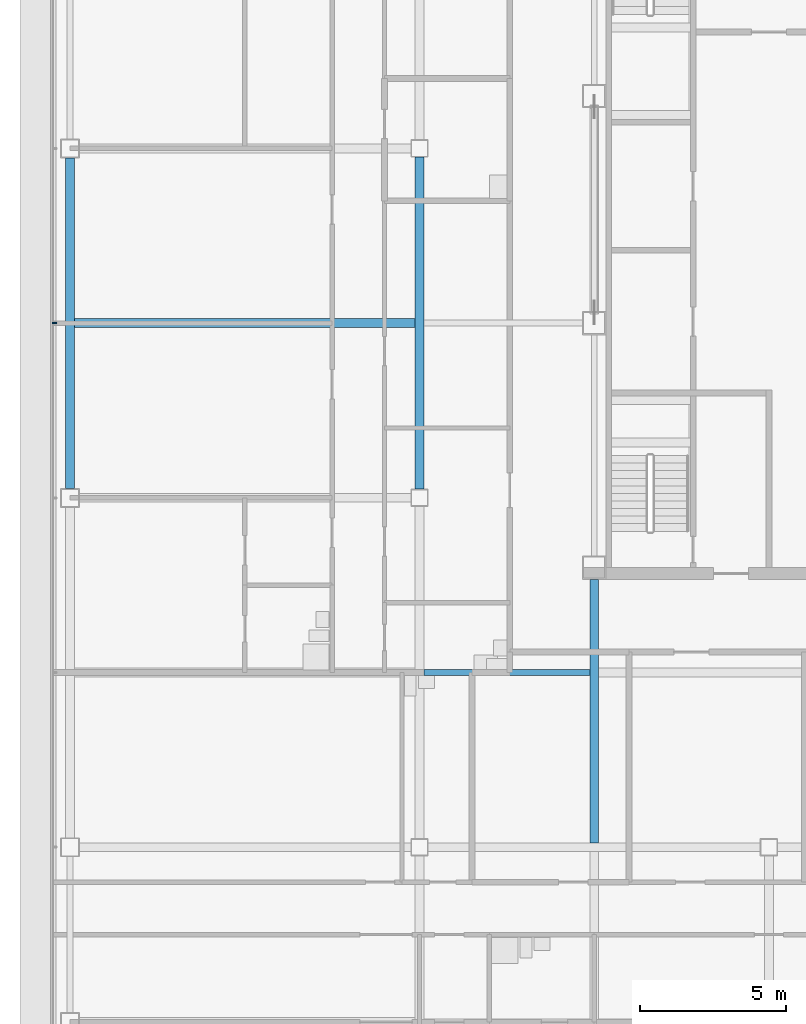
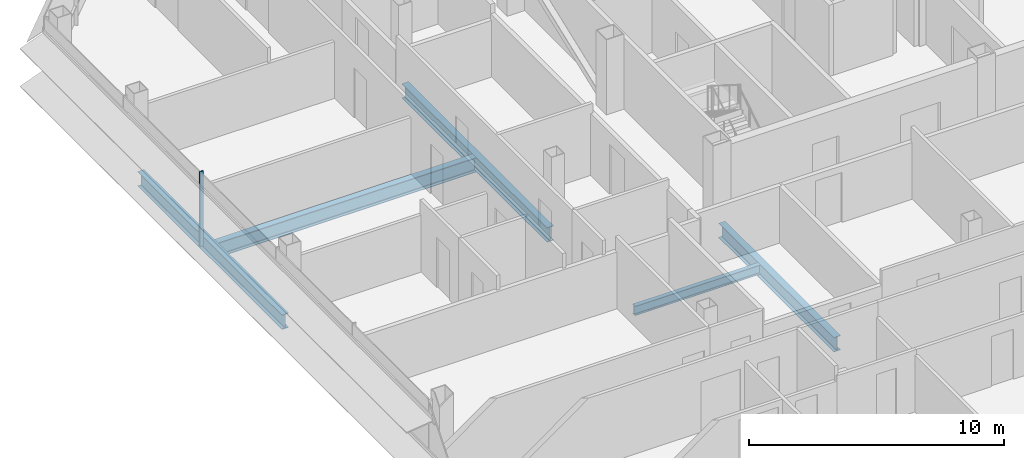
# One storey, part 6 of 26: 5 beams, 1 member, 1 element without a shape of its own.
"""IFC4 building model written with IfcOpenShell, lengths in metres."""

from ifc_helpers import new_model, si_unit, direction, frame, origin, origin_2d, place, context, subcontext, project, spatial, rectangle, i_section, extrude, material, material_profile, profile_set, type_object, element, aggregate, save


model = new_model("IFC4")

# Units and contexts
model_context = context("Model", 3, precision=1e-05, world=origin(), true_north=direction((0.0, 1.0)))
body_context = subcontext(model_context, "Body", "Model", "MODEL_VIEW")
ifc_project = project(units=[si_unit("LENGTHUNIT", "METRE"), si_unit("AREAUNIT", "SQUARE_METRE"), si_unit("VOLUMEUNIT", "CUBIC_METRE"), si_unit("PLANEANGLEUNIT", "RADIAN"), si_unit("MASSUNIT", "GRAM", prefix="KILO")], contexts=[model_context])

# Site, building, storey
site_placement = place(None, origin())
site = spatial("IfcSite", under=ifc_project, at=site_placement, CompositionType="ELEMENT")
building_placement = place(site_placement, origin())
building = spatial("IfcBuilding", under=site, at=building_placement, Name="Sorahane Residences", CompositionType="ELEMENT")
storey_placement = place(building_placement, frame((0.0, 0.0, 215.39990234375)))
storey = spatial("IfcBuildingStorey", under=building, at=storey_placement, Name="L50", CompositionType="ELEMENT", Elevation=215.39990234375)

# Curtain wall, member
ifc_material_1 = material(Name="Dark low-e glass and black anodised aluminium", Category="aluminium")
curtain_wall_type = type_object("IfcCurtainWallType", Name="Curtain wall CW-1 Typical unitised wall", PredefinedType="NOTDEFINED", material=ifc_material_1)
curtain_wall_placement = place(storey_placement, origin())
curtain_wall = element("IfcCurtainWall", 1, at=curtain_wall_placement, inside=storey, type_object=curtain_wall_type, Name="CW-1 curtain wall L50 W1", PredefinedType="NOTDEFINED")
ifc_material_2 = material(Name="Black anodised aluminium", Category="aluminium")
ifc_material_profile_1 = material_profile(ifc_material_2, rectangle(XDim=0.159912109375, YDim=0.050048828125, at=origin_2d()), Name="Curtain wall mullion CW-1 black anodised aluminium 50x160")
ifc_profile_set_1 = profile_set([ifc_material_profile_1], Name="Black anodised aluminium")
member_type = type_object("IfcMemberType", Name="Curtain wall mullion CW-1 black anodised aluminium 50x160", PredefinedType="MULLION", material=ifc_profile_set_1)
member_placement = place(storey_placement, frame((-12.5400390625, 30.0, -0.179931640625), z_axis=(0.0, 0.0, 1.0), x_axis=(-1.0, 0.0, 0.0)))
member = element("IfcMember", 2, at=member_placement, type_object=member_type, Name="CW-1 mullion L50 W1.3", PredefinedType="MULLION", context=body_context, shape_type="SweptSolid", body=[
    extrude(rectangle(XDim=0.159912109375, YDim=0.050048828125, at=origin_2d()), origin(), (0.0, 0.0, 1.0), 3.60009765625),
])
aggregate(curtain_wall, [member])

# Beams
ifc_material_3 = material(Name="Steel Q355B", Category="steel")
ifc_material_profile_2 = material_profile(ifc_material_3, i_section(OverallWidth=0.199951171875, OverallDepth=0.449951171875, WebThickness=0.009033203125, FlangeThickness=0.013916015625, FilletRadius=0.02001953125, at=origin_2d()), Name="HN 450x200x9x14")
ifc_profile_set_2 = profile_set([ifc_material_profile_2], Name="Steel Q355B")
beam_type_1 = type_object("IfcBeamType", Name="Steel floor beam HN 450x200x9x14 Q355B", PredefinedType="BEAM", material=ifc_profile_set_2)
beam_1_placement = place(storey_placement, frame((0.14990234375, 18.0, -0.40478515625), z_axis=(1.0, 0.0, 0.0), x_axis=(0.0, 1.0, 0.0)))
element("IfcBeam", 3, at=beam_1_placement, inside=storey, type_object=beam_type_1, Name="Beam L50 079", PredefinedType="BEAM", context=body_context, shape_type="SweptSolid", body=[
    extrude(i_section(OverallWidth=0.199951171875, OverallDepth=0.449951171875, WebThickness=0.009033203125, FlangeThickness=0.013916015625, FilletRadius=0.02001953125, at=origin_2d()), origin(), (0.0, 0.0, 1.0), 5.7001953125),
])
ifc_material_4 = material(Name="Steel Q355B", Category="steel")
ifc_material_profile_3 = material_profile(ifc_material_4, i_section(OverallWidth=0.300048828125, OverallDepth=0.699951171875, WebThickness=0.012939453125, FlangeThickness=0.02392578125, FilletRadius=0.028076171875, at=origin_2d()), Name="HN 700x300x13x24")
ifc_profile_set_3 = profile_set([ifc_material_profile_3], Name="Steel Q355B")
beam_type_2 = type_object("IfcBeamType", Name="Steel floor beam HN 700x300x13x24 Q355B", PredefinedType="BEAM", material=ifc_profile_set_3)
beam_2_placement = place(storey_placement, frame((-12.0, 24.324951171875, -0.52978515625), z_axis=(0.0, 1.0, 0.0), x_axis=(-1.0, 0.0, 0.0)))
element("IfcBeam", 4, at=beam_2_placement, inside=storey, type_object=beam_type_2, Name="Beam L50 022", PredefinedType="BEAM", context=body_context, shape_type="SweptSolid", body=[
    extrude(i_section(OverallWidth=0.300048828125, OverallDepth=0.699951171875, WebThickness=0.012939453125, FlangeThickness=0.02392578125, FilletRadius=0.028076171875, at=origin_2d()), origin(), (0.0, 0.0, 1.0), 11.35009765625),
])
beam_3_placement = place(storey_placement, frame((0.0, 24.300048828125, -0.52978515625), z_axis=(0.0, 1.0, 0.0), x_axis=(-1.0, 0.0, 0.0)))
element("IfcBeam", 5, at=beam_3_placement, inside=storey, type_object=beam_type_2, Name="Beam L50 026", PredefinedType="BEAM", context=body_context, shape_type="SweptSolid", body=[
    extrude(i_section(OverallWidth=0.300048828125, OverallDepth=0.699951171875, WebThickness=0.012939453125, FlangeThickness=0.02392578125, FilletRadius=0.028076171875, at=origin_2d()), origin(), (0.0, 0.0, 1.0), 11.39990234375),
])
beam_4_placement = place(storey_placement, frame((6.0, 12.14990234375, -0.52978515625), z_axis=(0.0, 1.0, 0.0), x_axis=(-1.0, 0.0, 0.0)))
element("IfcBeam", 6, at=beam_4_placement, inside=storey, type_object=beam_type_2, Name="Beam L50 029", PredefinedType="BEAM", context=body_context, shape_type="SweptSolid", body=[
    extrude(i_section(OverallWidth=0.300048828125, OverallDepth=0.699951171875, WebThickness=0.012939453125, FlangeThickness=0.02392578125, FilletRadius=0.028076171875, at=origin_2d()), origin(), (0.0, 0.0, 1.0), 9.050048828125),
])
beam_5_placement = place(storey_placement, frame((-11.85009765625, 30.0, -0.52978515625), z_axis=(1.0, 0.0, 0.0), x_axis=(0.0, 1.0, 0.0)))
element("IfcBeam", 7, at=beam_5_placement, inside=storey, type_object=beam_type_2, Name="Beam L50 085", PredefinedType="BEAM", context=body_context, shape_type="SweptSolid", body=[
    extrude(i_section(OverallWidth=0.300048828125, OverallDepth=0.699951171875, WebThickness=0.012939453125, FlangeThickness=0.02392578125, FilletRadius=0.028076171875, at=origin_2d()), origin(), (0.0, 0.0, 1.0), 11.7001953125),
])

save(model, "model.ifc")
